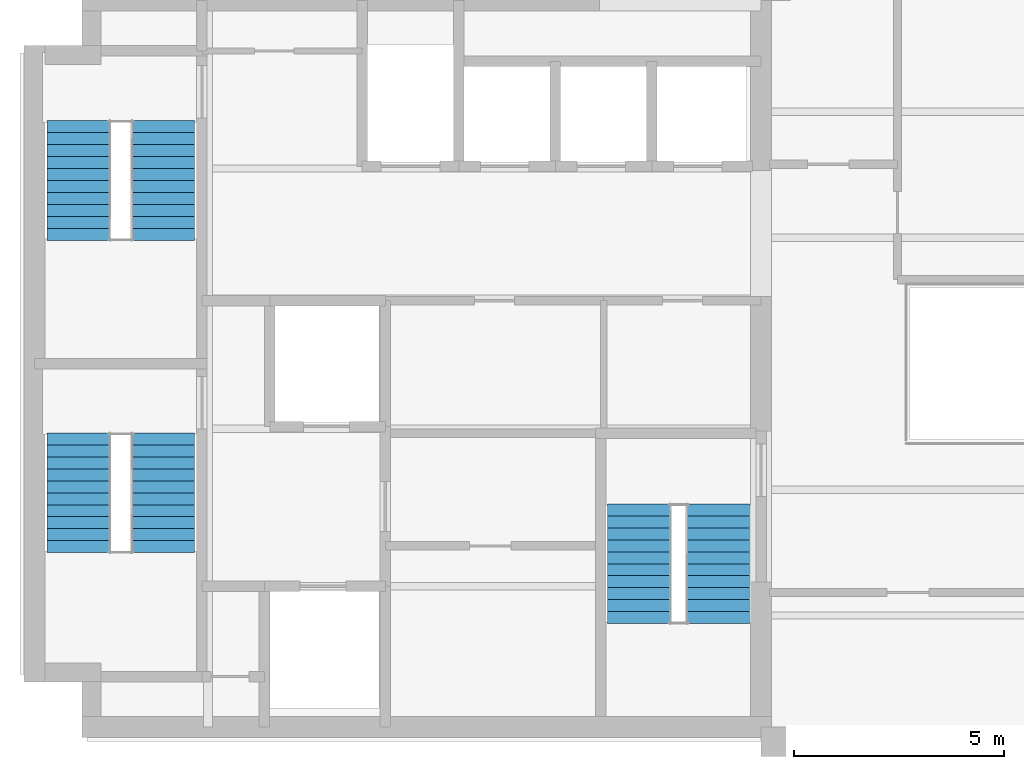
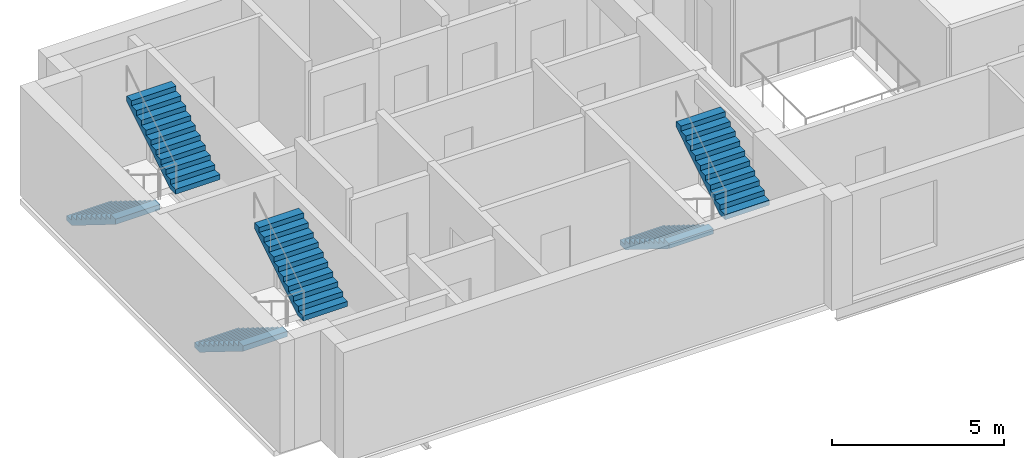
# One storey, part 4 of 5: 6 stair flights, 3 elements without a shape of their own.
"""IFC4 building model written with IfcOpenShell, lengths in metres."""

import ifcopenshell
import ifcopenshell.guid

model = None  # the IFC model being written
_history = None  # IfcOwnerHistory: only IFC2X3 demands one
_inside = {}  # id of a spatial element -> (the spatial element, [elements in it])
_under = {}  # id of a project, library or spatial element -> (it, [spatial elements below it])
_declared = {}  # id of a project -> (the project, [libraries it declares])
_typed = {}  # id of a type object -> (the type object, [elements of that type])
_made_of = {}  # id of a material, layer set ... -> (it, [elements and type objects made of it])


def new_model(schema):
    """Start an empty IFC model of exactly this schema.

    Asked for "IFC4X3", IfcOpenShell would pick the latest addendum, in which some entities
    have other attributes; the version numbers below select the first issue.
    IFC2X3 requires an IfcOwnerHistory on every rooted entity: one is made here for all.
    """
    global model, _history
    if schema == "IFC4X3":
        model = ifcopenshell.file(schema_version=(4, 3, 0, 0))
    else:
        model = ifcopenshell.file(schema=schema)
    _inside.clear()
    _under.clear()
    _declared.clear()
    _typed.clear()
    _made_of.clear()
    _history = None
    if model.schema == "IFC2X3":
        org = make("IfcOrganization", Name="unknown")
        user = make(
            "IfcPersonAndOrganization",
            ThePerson=make("IfcPerson", FamilyName="unknown"),
            TheOrganization=org,
        )
        app = make(
            "IfcApplication",
            ApplicationDeveloper=org,
            Version="unknown",
            ApplicationFullName="unknown",
            ApplicationIdentifier="unknown",
        )
        _history = make(
            "IfcOwnerHistory",
            OwningUser=user,
            OwningApplication=app,
            ChangeAction="ADDED",
            CreationDate=0,
        )
    return model


def make(cls, **values):
    """One entity of the class cls with the attributes given. An attribute that is None is left unset."""
    return model.create_entity(
        cls, **{name: value for name, value in values.items() if value is not None}
    )


def rooted(cls, **values):
    """An entity with a GlobalId (a new one), such as an element, a storey or a relation."""
    return make(cls, GlobalId=ifcopenshell.guid.new(), OwnerHistory=_history, **values)


def si_unit(unit_type, name, prefix=None):
    """IfcSIUnit, for example si_unit("LENGTHUNIT", "METRE", prefix="MILLI")."""
    return make("IfcSIUnit", UnitType=unit_type, Prefix=prefix, Name=name)


def assignment(units):
    """IfcUnitAssignment: the units of a project."""
    return None if units is None else make("IfcUnitAssignment", Units=units)


def point(xyz):
    """IfcCartesianPoint."""
    return None if xyz is None else make("IfcCartesianPoint", Coordinates=xyz)


def direction(xyz):
    """IfcDirection."""
    return None if xyz is None else make("IfcDirection", DirectionRatios=xyz)


def frame(location, z_axis=None, x_axis=None):
    """IfcAxis2Placement3D, a coordinate frame: its origin and axes. An axis left out is left unset."""
    return make(
        "IfcAxis2Placement3D",
        Location=point(location),
        Axis=direction(z_axis),
        RefDirection=direction(x_axis),
    )


def origin():
    """The frame at (0, 0, 0) with its axes left unset."""
    return frame((0.0, 0.0, 0.0))


def place(relative_to, where):
    """IfcLocalPlacement: puts the frame where relative to a parent placement (None: the world)."""
    return make(
        "IfcLocalPlacement", PlacementRelTo=relative_to, RelativePlacement=where
    )


def context(
    kind, dimensions, precision=None, world=None, true_north=None, identifier=None
):
    """IfcGeometricRepresentationContext, for example the 3D "Model" context."""
    return make(
        "IfcGeometricRepresentationContext",
        ContextIdentifier=identifier,
        ContextType=kind,
        CoordinateSpaceDimension=dimensions,
        Precision=precision,
        WorldCoordinateSystem=world,
        TrueNorth=true_north,
    )


def subcontext(parent, identifier, kind, view, scale=None):
    """IfcGeometricRepresentationSubContext, for example "Body" below "Model"."""
    return make(
        "IfcGeometricRepresentationSubContext",
        ContextIdentifier=identifier,
        ContextType=kind,
        ParentContext=parent,
        TargetScale=scale,
        TargetView=view,
    )


def project(units=None, contexts=None):
    """IfcProject with its units and contexts."""
    return rooted(
        "IfcProject",
        Name="project",
        RepresentationContexts=contexts,
        UnitsInContext=assignment(units),
    )


def spatial(cls, under=None, at=None, **own):
    """A site, building, storey or space (cls), placed at a placement, below another one or the project."""
    s = rooted(cls, ObjectPlacement=at, **own)
    if under is not None:
        _under.setdefault(under.id(), (under, []))[1].append(s)
    return s


def polyline(points):
    """IfcPolyline through the points."""
    return make("IfcPolyline", Points=[point(p) for p in points])


def outline(outer, holes=None, kind="AREA"):
    """IfcArbitraryClosedProfileDef: a profile drawn as a closed curve; with holes, ...WithVoids."""
    if holes is None:
        return make("IfcArbitraryClosedProfileDef", ProfileType=kind, OuterCurve=outer)
    return make(
        "IfcArbitraryProfileDefWithVoids",
        ProfileType=kind,
        OuterCurve=outer,
        InnerCurves=holes,
    )


def extrude(swept, where, along, depth):
    """IfcExtrudedAreaSolid: the profile swept, set in the frame where, extruded along a direction by depth."""
    return make(
        "IfcExtrudedAreaSolid",
        SweptArea=swept,
        Position=where,
        ExtrudedDirection=direction(along),
        Depth=depth,
    )


def shape(context_of_items, identifier, shape_type, items):
    """IfcShapeRepresentation: the items that make up one representation, for example the "Body"."""
    return make(
        "IfcShapeRepresentation",
        ContextOfItems=context_of_items,
        RepresentationIdentifier=identifier,
        RepresentationType=shape_type,
        Items=items,
    )


def material(Name=None, Category=None):
    """IfcMaterial."""
    return make("IfcMaterial", Name=Name, Category=Category)


def made_of(thing, what):
    """Note that an element or type object is made of a material, layer set ...; save() writes the relation."""
    if what is not None:
        _made_of.setdefault(what.id(), (what, []))[1].append(thing)
    return thing


def type_object(cls, material=None, **own):
    """A type object (cls), such as IfcWallType, which elements share."""
    return made_of(rooted(cls, **own), material)


def element(
    cls,
    number,
    at=None,
    inside=None,
    cuts=None,
    type_object=None,
    material=None,
    context=None,
    identifier="Body",
    shape_type=None,
    held_by="IfcProductDefinitionShape",
    body=None,
    shapes=None,
    **own,
):
    """One element of the class cls, such as IfcWall. Its Tag is "e" and its number.

    at: its placement. inside: the storey or other place that contains it. cuts: it is an
    opening in that element (IfcRelVoidsElement). A single representation is given by context,
    identifier, shape_type and body (its items); several are given by shapes. held_by: the class
    of the entity that holds the representations. save() writes the other relations.
    """
    e = rooted(cls, Tag="e%d" % number, ObjectPlacement=at, **own)
    if body is not None:
        shapes = [shape(context, identifier, shape_type, body)]
    if shapes is not None:
        e.Representation = make(held_by, Representations=shapes)
    if inside is not None:
        _inside.setdefault(inside.id(), (inside, []))[1].append(e)
    if cuts is not None:
        rooted(
            "IfcRelVoidsElement", RelatingBuildingElement=cuts, RelatedOpeningElement=e
        )
    if type_object is not None:
        _typed.setdefault(type_object.id(), (type_object, []))[1].append(e)
    return made_of(e, material)


def aggregate(whole, parts):
    """IfcRelAggregates: a whole, such as a stair, and the parts it consists of."""
    return rooted("IfcRelAggregates", RelatingObject=whole, RelatedObjects=parts)


def save(model, path):
    """Write the relations noted so far, then the file.

    IfcRelAggregates (storeys below a building ...), IfcRelContainedInSpatialStructure (elements
    in a storey), IfcRelDefinesByType, IfcRelAssociatesMaterial and IfcRelDeclares: one each for
    every whole, place, type object, material and project.
    """
    for whole, parts in _under.values():
        aggregate(whole, parts)
    for where, things in _inside.values():
        rooted(
            "IfcRelContainedInSpatialStructure",
            RelatedElements=things,
            RelatingStructure=where,
        )
    for kind, things in _typed.values():
        rooted("IfcRelDefinesByType", RelatedObjects=things, RelatingType=kind)
    for what, things in _made_of.values():
        rooted("IfcRelAssociatesMaterial", RelatedObjects=things, RelatingMaterial=what)
    for by, libraries in _declared.values():
        rooted("IfcRelDeclares", RelatingContext=by, RelatedDefinitions=libraries)
    model.write(path)


model = new_model("IFC4")

# Units and contexts
model_context = context("Model", 3, precision=1e-05, world=origin(), true_north=direction((0.0, 1.0)))
body_context = subcontext(model_context, "Body", "Model", "MODEL_VIEW")
ifc_project = project(units=[si_unit("LENGTHUNIT", "METRE"), si_unit("AREAUNIT", "SQUARE_METRE"), si_unit("VOLUMEUNIT", "CUBIC_METRE"), si_unit("PLANEANGLEUNIT", "RADIAN"), si_unit("MASSUNIT", "GRAM", prefix="KILO")], contexts=[model_context])

# Site, building, storey
site_placement = place(None, origin())
site = spatial("IfcSite", under=ifc_project, at=site_placement, CompositionType="ELEMENT")
building_placement = place(site_placement, origin())
building = spatial("IfcBuilding", under=site, at=building_placement, Name="Mawjdan Bourse Tower", CompositionType="ELEMENT")
storey_placement = place(building_placement, frame((0.0, 0.0, 293.699951171875)))
storey = spatial("IfcBuildingStorey", under=building, at=storey_placement, Name="L72", CompositionType="ELEMENT", Elevation=293.699951171875)

# Stair, stair flights
ifc_material = material(Name="Concrete C50/60", Category="concrete")
stair_type = type_object("IfcStairType", Name="STR-CORE-1500", PredefinedType="HALF_TURN_STAIR", material=ifc_material)
stair_1_placement = place(storey_placement, origin())
stair_1 = element("IfcStair", 1, at=stair_1_placement, inside=storey, type_object=stair_type, Name="L72 Exit Stair 1 (Core South-West)", PredefinedType="HALF_TURN_STAIR")
stair_flight_type = type_object("IfcStairFlightType", Name="SFL-RC-1500", PredefinedType="STRAIGHT", material=ifc_material)
stair_flight_1_placement = place(storey_placement, frame((7.389892578125, 10.35009765625, 0.0), z_axis=(0.0, 0.0, 1.0), x_axis=(0.0, -1.0, 0.0)))
stair_flight_1 = element("IfcStairFlight", 2, at=stair_flight_1_placement, type_object=stair_flight_type, Name="ST1-L72 flight 1", NumberOfRisers=11, NumberOfTreads=10, PredefinedType="STRAIGHT", RiserHeight=0.177273, TreadLength=0.285, context=body_context, shape_type="SweptSolid", body=[
    extrude(outline(polyline([(0.0, 0.0), (0.0, 0.17724609375), (0.284912109375, 0.17724609375), (0.284912109375, 0.3544921875), (0.570068359375, 0.3544921875), (0.570068359375, 0.53173828125), (0.85498046875, 0.53173828125), (0.85498046875, 0.708984375), (1.139892578125, 0.708984375), (1.139892578125, 0.886474609375), (1.425048828125, 0.886474609375), (1.425048828125, 1.063720703125), (1.7099609375, 1.063720703125), (1.7099609375, 1.240966796875), (1.9951171875, 1.240966796875), (1.9951171875, 1.418212890625), (2.280029296875, 1.418212890625), (2.280029296875, 1.595458984375), (2.56494140625, 1.595458984375), (2.56494140625, 1.772705078125), (2.85009765625, 1.772705078125), (2.85009765625, 1.949951171875), (2.85009765625, 1.58447265625), (0.302734375, 0.0), (0.0, 0.0)])), frame((0.0, 0.75, 0.0), z_axis=(0.0, -1.0, 0.0), x_axis=(1.0, 0.0, 0.0)), (0.0, 0.0, 1.0), 1.5),
])
stair_flight_2_placement = place(storey_placement, frame((9.409912109375, 7.5, 1.949951171875), z_axis=(0.0, 0.0, 1.0), x_axis=(0.0, 1.0, 0.0)))
stair_flight_2 = element("IfcStairFlight", 3, at=stair_flight_2_placement, type_object=stair_flight_type, Name="ST1-L72 flight 2", NumberOfRisers=11, NumberOfTreads=10, PredefinedType="STRAIGHT", RiserHeight=0.177273, TreadLength=0.285, context=body_context, shape_type="SweptSolid", body=[
    extrude(outline(polyline([(0.0, 0.0), (0.0, 0.17724609375), (0.284912109375, 0.17724609375), (0.284912109375, 0.3544921875), (0.570068359375, 0.3544921875), (0.570068359375, 0.53173828125), (0.85498046875, 0.53173828125), (0.85498046875, 0.708984375), (1.139892578125, 0.708984375), (1.139892578125, 0.886474609375), (1.425048828125, 0.886474609375), (1.425048828125, 1.063720703125), (1.7099609375, 1.063720703125), (1.7099609375, 1.240966796875), (1.9951171875, 1.240966796875), (1.9951171875, 1.418212890625), (2.280029296875, 1.418212890625), (2.280029296875, 1.595458984375), (2.56494140625, 1.595458984375), (2.56494140625, 1.772705078125), (2.85009765625, 1.772705078125), (2.85009765625, 1.949951171875), (2.85009765625, 1.58447265625), (0.302734375, 0.0), (0.0, 0.0)])), frame((0.0, 0.75, 0.0), z_axis=(0.0, -1.0, 0.0), x_axis=(1.0, 0.0, 0.0)), (0.0, 0.0, 1.0), 1.5),
])
aggregate(stair_1, [stair_flight_1, stair_flight_2])

stair_2_placement = place(storey_placement, origin())
stair_2 = element("IfcStair", 4, at=stair_2_placement, inside=storey, type_object=stair_type, Name="L72 Exit Stair 2 (Core North-West)", PredefinedType="HALF_TURN_STAIR")
stair_flight_3_placement = place(storey_placement, frame((7.389892578125, 17.7900390625, 0.0), z_axis=(0.0, 0.0, 1.0), x_axis=(0.0, -1.0, 0.0)))
stair_flight_3 = element("IfcStairFlight", 5, at=stair_flight_3_placement, type_object=stair_flight_type, Name="ST2-L72 flight 1", NumberOfRisers=11, NumberOfTreads=10, PredefinedType="STRAIGHT", RiserHeight=0.177273, TreadLength=0.285, context=body_context, shape_type="SweptSolid", body=[
    extrude(outline(polyline([(0.0, 0.0), (0.0, 0.17724609375), (0.284912109375, 0.17724609375), (0.284912109375, 0.3544921875), (0.570068359375, 0.3544921875), (0.570068359375, 0.53173828125), (0.85498046875, 0.53173828125), (0.85498046875, 0.708984375), (1.139892578125, 0.708984375), (1.139892578125, 0.886474609375), (1.425048828125, 0.886474609375), (1.425048828125, 1.063720703125), (1.7099609375, 1.063720703125), (1.7099609375, 1.240966796875), (1.9951171875, 1.240966796875), (1.9951171875, 1.418212890625), (2.280029296875, 1.418212890625), (2.280029296875, 1.595458984375), (2.56494140625, 1.595458984375), (2.56494140625, 1.772705078125), (2.85009765625, 1.772705078125), (2.85009765625, 1.949951171875), (2.85009765625, 1.58447265625), (0.302734375, 0.0), (0.0, 0.0)])), frame((0.0, 0.75, 0.0), z_axis=(0.0, -1.0, 0.0), x_axis=(1.0, 0.0, 0.0)), (0.0, 0.0, 1.0), 1.5),
])
stair_flight_4_placement = place(storey_placement, frame((9.409912109375, 14.93994140625, 1.949951171875), z_axis=(0.0, 0.0, 1.0), x_axis=(0.0, 1.0, 0.0)))
stair_flight_4 = element("IfcStairFlight", 6, at=stair_flight_4_placement, type_object=stair_flight_type, Name="ST2-L72 flight 2", NumberOfRisers=11, NumberOfTreads=10, PredefinedType="STRAIGHT", RiserHeight=0.177273, TreadLength=0.285, context=body_context, shape_type="SweptSolid", body=[
    extrude(outline(polyline([(0.0, 0.0), (0.0, 0.17724609375), (0.284912109375, 0.17724609375), (0.284912109375, 0.3544921875), (0.570068359375, 0.3544921875), (0.570068359375, 0.53173828125), (0.85498046875, 0.53173828125), (0.85498046875, 0.708984375), (1.139892578125, 0.708984375), (1.139892578125, 0.886474609375), (1.425048828125, 0.886474609375), (1.425048828125, 1.063720703125), (1.7099609375, 1.063720703125), (1.7099609375, 1.240966796875), (1.9951171875, 1.240966796875), (1.9951171875, 1.418212890625), (2.280029296875, 1.418212890625), (2.280029296875, 1.595458984375), (2.56494140625, 1.595458984375), (2.56494140625, 1.772705078125), (2.85009765625, 1.772705078125), (2.85009765625, 1.949951171875), (2.85009765625, 1.58447265625), (0.302734375, 0.0), (0.0, 0.0)])), frame((0.0, 0.75, 0.0), z_axis=(0.0, -1.0, 0.0), x_axis=(1.0, 0.0, 0.0)), (0.0, 0.0, 1.0), 1.5),
])
aggregate(stair_2, [stair_flight_3, stair_flight_4])

stair_3_placement = place(storey_placement, origin())
stair_3 = element("IfcStair", 7, at=stair_3_placement, inside=storey, type_object=stair_type, Name="L72 Exit Stair 7 (Core South-East)", PredefinedType="HALF_TURN_STAIR")
stair_flight_5_placement = place(storey_placement, frame((20.739990234375, 8.659912109375, 0.0), z_axis=(0.0, 0.0, 1.0), x_axis=(0.0, -1.0, 0.0)))
stair_flight_5 = element("IfcStairFlight", 8, at=stair_flight_5_placement, type_object=stair_flight_type, Name="ST7-L72 flight 1", NumberOfRisers=11, NumberOfTreads=10, PredefinedType="STRAIGHT", RiserHeight=0.177273, TreadLength=0.285, context=body_context, shape_type="SweptSolid", body=[
    extrude(outline(polyline([(0.0, 0.0), (0.0, 0.17724609375), (0.284912109375, 0.17724609375), (0.284912109375, 0.3544921875), (0.570068359375, 0.3544921875), (0.570068359375, 0.53173828125), (0.85498046875, 0.53173828125), (0.85498046875, 0.708984375), (1.139892578125, 0.708984375), (1.139892578125, 0.886474609375), (1.425048828125, 0.886474609375), (1.425048828125, 1.063720703125), (1.7099609375, 1.063720703125), (1.7099609375, 1.240966796875), (1.9951171875, 1.240966796875), (1.9951171875, 1.418212890625), (2.280029296875, 1.418212890625), (2.280029296875, 1.595458984375), (2.56494140625, 1.595458984375), (2.56494140625, 1.772705078125), (2.85009765625, 1.772705078125), (2.85009765625, 1.949951171875), (2.85009765625, 1.58447265625), (0.302734375, 0.0), (0.0, 0.0)])), frame((0.0, 0.75, 0.0), z_axis=(0.0, -1.0, 0.0), x_axis=(1.0, 0.0, 0.0)), (0.0, 0.0, 1.0), 1.5),
])
stair_flight_6_placement = place(storey_placement, frame((22.6298828125, 5.81005859375, 1.949951171875), z_axis=(0.0, 0.0, 1.0), x_axis=(0.0, 1.0, 0.0)))
stair_flight_6 = element("IfcStairFlight", 9, at=stair_flight_6_placement, type_object=stair_flight_type, Name="ST7-L72 flight 2", NumberOfRisers=11, NumberOfTreads=10, PredefinedType="STRAIGHT", RiserHeight=0.177273, TreadLength=0.285, context=body_context, shape_type="SweptSolid", body=[
    extrude(outline(polyline([(0.0, 0.0), (0.0, 0.17724609375), (0.284912109375, 0.17724609375), (0.284912109375, 0.3544921875), (0.570068359375, 0.3544921875), (0.570068359375, 0.53173828125), (0.85498046875, 0.53173828125), (0.85498046875, 0.708984375), (1.139892578125, 0.708984375), (1.139892578125, 0.886474609375), (1.425048828125, 0.886474609375), (1.425048828125, 1.063720703125), (1.7099609375, 1.063720703125), (1.7099609375, 1.240966796875), (1.9951171875, 1.240966796875), (1.9951171875, 1.418212890625), (2.280029296875, 1.418212890625), (2.280029296875, 1.595458984375), (2.56494140625, 1.595458984375), (2.56494140625, 1.772705078125), (2.85009765625, 1.772705078125), (2.85009765625, 1.949951171875), (2.85009765625, 1.58447265625), (0.302734375, 0.0), (0.0, 0.0)])), frame((0.0, 0.75, 0.0), z_axis=(0.0, -1.0, 0.0), x_axis=(1.0, 0.0, 0.0)), (0.0, 0.0, 1.0), 1.5),
])
aggregate(stair_3, [stair_flight_5, stair_flight_6])

save(model, "model.ifc")
